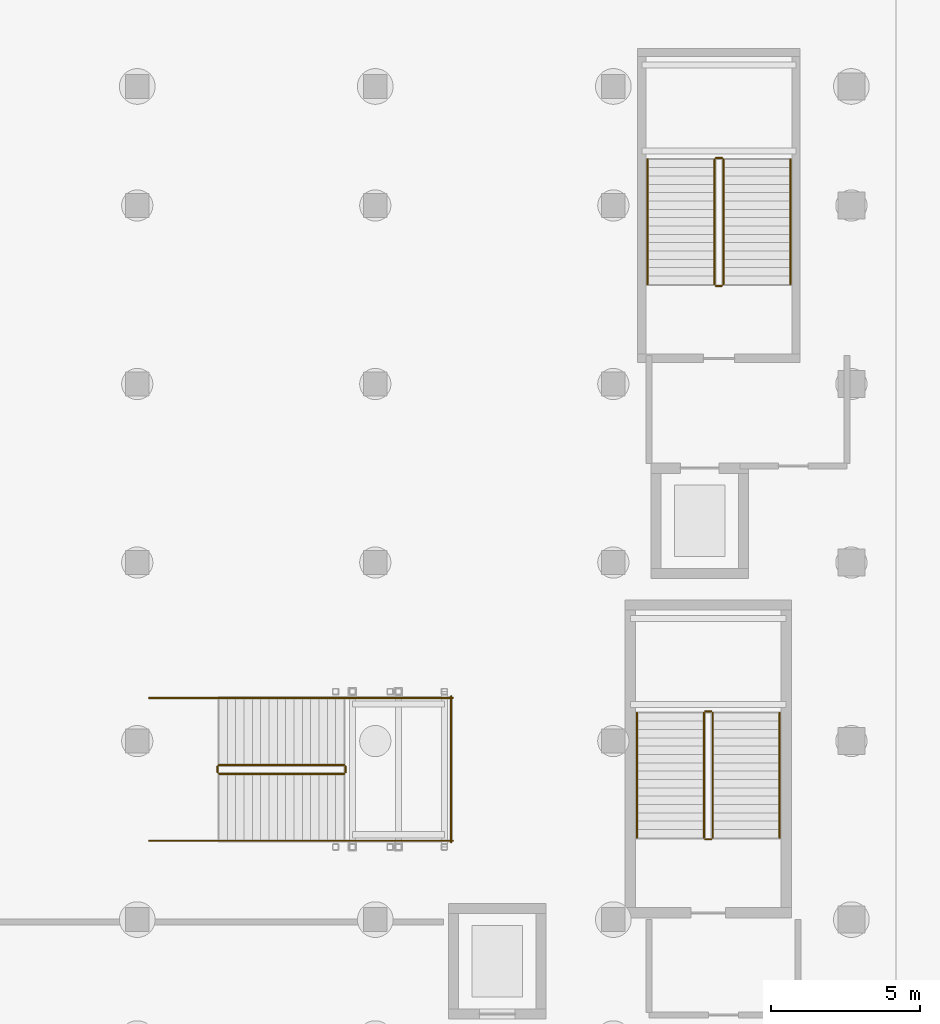
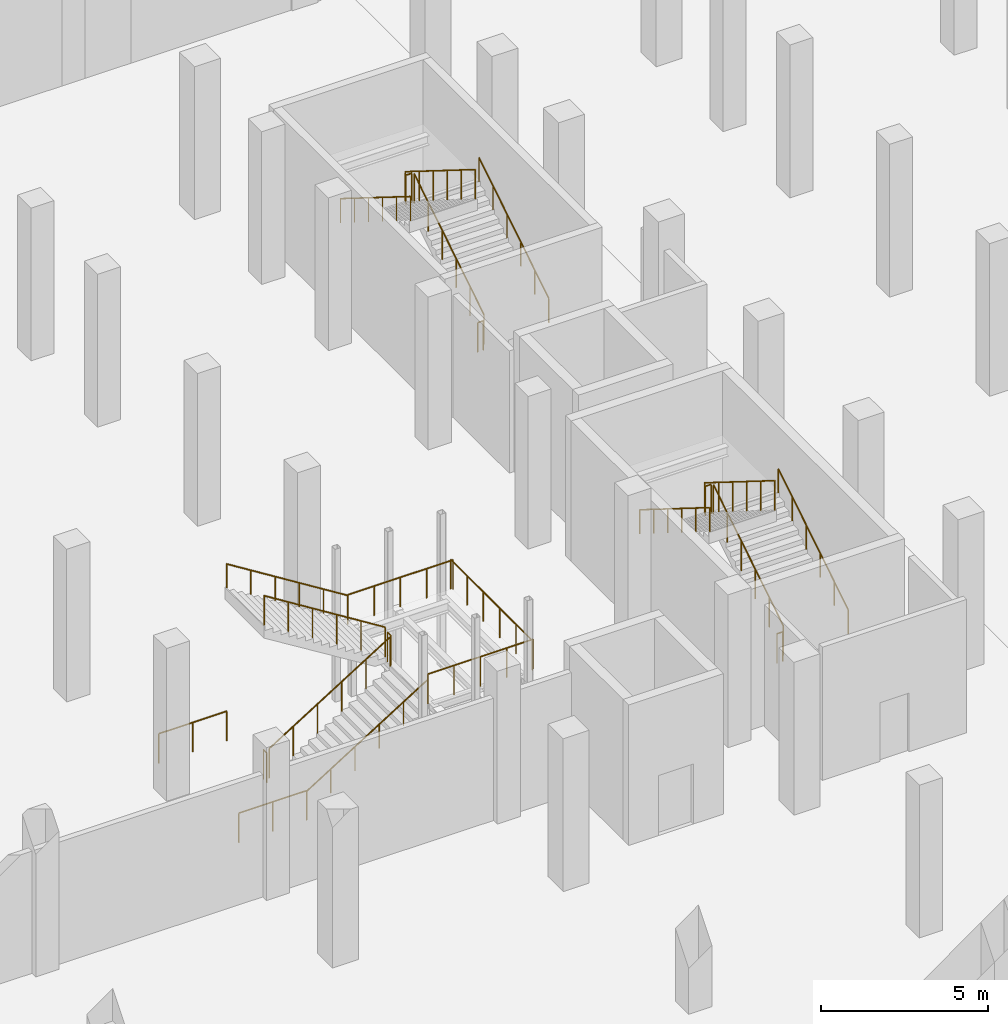
# One storey, part 23 of 26: 23 railings.
"""IFC4 building model written with IfcOpenShell, lengths in metres."""

from ifc_helpers import new_model, si_unit, direction, frame, origin, origin_2d, place, context, subcontext, project, spatial, circle, extrude, material, type_object, element, save


model = new_model("IFC4")

# Units and contexts
model_context = context("Model", 3, precision=1e-05, world=origin(), true_north=direction((0.0, 1.0)))
body_context = subcontext(model_context, "Body", "Model", "MODEL_VIEW")
ifc_project = project(units=[si_unit("LENGTHUNIT", "METRE"), si_unit("AREAUNIT", "SQUARE_METRE"), si_unit("VOLUMEUNIT", "CUBIC_METRE"), si_unit("PLANEANGLEUNIT", "RADIAN"), si_unit("MASSUNIT", "GRAM", prefix="KILO")], contexts=[model_context])

# Site, building, storey
site_placement = place(None, origin())
site = spatial("IfcSite", under=ifc_project, at=site_placement, CompositionType="ELEMENT")
building_placement = place(site_placement, origin())
building = spatial("IfcBuilding", under=site, at=building_placement, Name="Verrall Gate Interchange", CompositionType="ELEMENT")
storey_placement = place(building_placement, frame((0.0, 0.0, -10.39990234375)))
storey = spatial("IfcBuildingStorey", under=building, at=storey_placement, Name="B2", CompositionType="ELEMENT", Elevation=-10.39990234375)

# Railings
ifc_material_1 = material(Name="Brushed Stainless-Steel Guardrail and Handrail System", Category="steel")
railing_type_1 = type_object("IfcRailingType", Name="GR-02 Interior Atrium and Stair Guardrail 1100", PredefinedType="GUARDRAIL", material=ifc_material_1)
railing_1_placement = place(storey_placement, frame((103.340087890625, 18.75, 0.1748046875)))
element("IfcRailing", 1, at=railing_1_placement, inside=storey, type_object=railing_type_1, Name="B2 ST-06 stair guard 1", PredefinedType="GUARDRAIL", context=body_context, shape_type="SweptSolid", body=[
    extrude(circle(Radius=0.02392578125, at=origin_2d()), frame((0.0, 0.0, 1.076171875), z_axis=(0.0, 0.847995534698, 0.530003370869), x_axis=(-1.0, 0.0, 0.0)), (0.0, 0.0, 1.0), 4.952880859375),
    extrude(circle(Radius=0.02099609375, at=origin_2d()), origin(), (0.0, 0.0, 1.0), 1.052001953125),
    extrude(circle(Radius=0.02099609375, at=origin_2d()), frame((0.0, 0.840087890625, 0.52490234375)), (0.0, 0.0, 1.0), 1.052001953125),
    extrude(circle(Radius=0.02099609375, at=origin_2d()), frame((0.0, 1.679931640625, 1.050048828125)), (0.0, 0.0, 1.0), 1.052001953125),
    extrude(circle(Radius=0.02099609375, at=origin_2d()), frame((0.0, 2.52001953125, 1.574951171875)), (0.0, 0.0, 1.0), 1.052001953125),
    extrude(circle(Radius=0.02099609375, at=origin_2d()), frame((0.0, 3.35986328125, 2.10009765625)), (0.0, 0.0, 1.0), 1.052001953125),
    extrude(circle(Radius=0.02099609375, at=origin_2d()), frame((0.0, 4.199951171875, 2.625)), (0.0, 0.0, 1.0), 1.052001953125),
])
railing_2_placement = place(storey_placement, frame((103.2900390625, 23.0, 2.7998046875)))
element("IfcRailing", 2, at=railing_2_placement, inside=storey, type_object=railing_type_1, Name="B2 ST-06 stair guard 2", PredefinedType="GUARDRAIL", context=body_context, shape_type="SweptSolid", body=[
    extrude(circle(Radius=0.02392578125, at=origin_2d()), frame((0.0, 0.0, 1.076171875), z_axis=(-1.0, 0.0, 0.0), x_axis=(0.0, -1.0, 0.0)), (0.0, 0.0, 1.0), 0.199951171875),
    extrude(circle(Radius=0.02099609375, at=origin_2d()), origin(), (0.0, 0.0, 1.0), 1.052001953125),
    extrude(circle(Radius=0.02099609375, at=origin_2d()), frame((-0.199951171875, 0.0, 0.0)), (0.0, 0.0, 1.0), 1.052001953125),
])
railing_3_placement = place(storey_placement, frame((103.0400390625, 22.949951171875, 2.974853515625)))
element("IfcRailing", 3, at=railing_3_placement, inside=storey, type_object=railing_type_1, Name="B2 ST-06 stair guard 3", PredefinedType="GUARDRAIL", context=body_context, shape_type="SweptSolid", body=[
    extrude(circle(Radius=0.02392578125, at=origin_2d()), frame((0.0, 0.0, 1.076171875), z_axis=(0.0, -0.847995534698, 0.530003370869), x_axis=(1.0, 0.0, 0.0)), (0.0, 0.0, 1.0), 4.952880859375),
    extrude(circle(Radius=0.02099609375, at=origin_2d()), origin(), (0.0, 0.0, 1.0), 1.052001953125),
    extrude(circle(Radius=0.02099609375, at=origin_2d()), frame((0.0, -0.840087890625, 0.52490234375)), (0.0, 0.0, 1.0), 1.052001953125),
    extrude(circle(Radius=0.02099609375, at=origin_2d()), frame((0.0, -1.679931640625, 1.050048828125)), (0.0, 0.0, 1.0), 1.052001953125),
    extrude(circle(Radius=0.02099609375, at=origin_2d()), frame((0.0, -2.52001953125, 1.574951171875)), (0.0, 0.0, 1.0), 1.052001953125),
    extrude(circle(Radius=0.02099609375, at=origin_2d()), frame((0.0, -3.35986328125, 2.10009765625)), (0.0, 0.0, 1.0), 1.052001953125),
    extrude(circle(Radius=0.02099609375, at=origin_2d()), frame((0.0, -4.199951171875, 2.625)), (0.0, 0.0, 1.0), 1.052001953125),
])
railing_4_placement = place(storey_placement, frame((103.2900390625, 18.699951171875, 0.0)))
element("IfcRailing", 4, at=railing_4_placement, inside=storey, type_object=railing_type_1, Name="B2 ST-06 stair guard 4", PredefinedType="GUARDRAIL", context=body_context, shape_type="SweptSolid", body=[
    extrude(circle(Radius=0.02392578125, at=origin_2d()), frame((0.0, 0.0, 1.076171875), z_axis=(-1.0, 0.0, 0.0), x_axis=(0.0, -1.0, 0.0)), (0.0, 0.0, 1.0), 0.199951171875),
    extrude(circle(Radius=0.02099609375, at=origin_2d()), origin(), (0.0, 0.0, 1.0), 1.052001953125),
    extrude(circle(Radius=0.02099609375, at=origin_2d()), frame((-0.199951171875, 0.0, 0.0)), (0.0, 0.0, 1.0), 1.052001953125),
])
railing_5_placement = place(storey_placement, frame((103.699951171875, 37.35009765625, 0.1748046875)))
element("IfcRailing", 5, at=railing_5_placement, inside=storey, type_object=railing_type_1, Name="B2 ST-07 stair guard 1", PredefinedType="GUARDRAIL", context=body_context, shape_type="SweptSolid", body=[
    extrude(circle(Radius=0.02392578125, at=origin_2d()), frame((0.0, 0.0, 1.076171875), z_axis=(0.0, 0.847995534698, 0.530003370869), x_axis=(-1.0, 0.0, 0.0)), (0.0, 0.0, 1.0), 4.952880859375),
    extrude(circle(Radius=0.02099609375, at=origin_2d()), origin(), (0.0, 0.0, 1.0), 1.052001953125),
    extrude(circle(Radius=0.02099609375, at=origin_2d()), frame((0.0, 0.840087890625, 0.52490234375)), (0.0, 0.0, 1.0), 1.052001953125),
    extrude(circle(Radius=0.02099609375, at=origin_2d()), frame((0.0, 1.679931640625, 1.050048828125)), (0.0, 0.0, 1.0), 1.052001953125),
    extrude(circle(Radius=0.02099609375, at=origin_2d()), frame((0.0, 2.52001953125, 1.574951171875)), (0.0, 0.0, 1.0), 1.052001953125),
    extrude(circle(Radius=0.02099609375, at=origin_2d()), frame((0.0, 3.35986328125, 2.10009765625)), (0.0, 0.0, 1.0), 1.052001953125),
    extrude(circle(Radius=0.02099609375, at=origin_2d()), frame((0.0, 4.199951171875, 2.625)), (0.0, 0.0, 1.0), 1.052001953125),
])
railing_6_placement = place(storey_placement, frame((103.64990234375, 41.60009765625, 2.7998046875)))
element("IfcRailing", 6, at=railing_6_placement, inside=storey, type_object=railing_type_1, Name="B2 ST-07 stair guard 2", PredefinedType="GUARDRAIL", context=body_context, shape_type="SweptSolid", body=[
    extrude(circle(Radius=0.02392578125, at=origin_2d()), frame((0.0, 0.0, 1.076171875), z_axis=(-1.0, 0.0, 0.0), x_axis=(0.0, -1.0, 0.0)), (0.0, 0.0, 1.0), 0.199951171875),
    extrude(circle(Radius=0.02099609375, at=origin_2d()), origin(), (0.0, 0.0, 1.0), 1.052001953125),
    extrude(circle(Radius=0.02099609375, at=origin_2d()), frame((-0.199951171875, 0.0, 0.0)), (0.0, 0.0, 1.0), 1.052001953125),
])
railing_7_placement = place(storey_placement, frame((103.39990234375, 41.550048828125, 2.974853515625)))
element("IfcRailing", 7, at=railing_7_placement, inside=storey, type_object=railing_type_1, Name="B2 ST-07 stair guard 3", PredefinedType="GUARDRAIL", context=body_context, shape_type="SweptSolid", body=[
    extrude(circle(Radius=0.02392578125, at=origin_2d()), frame((0.0, 0.0, 1.076171875), z_axis=(0.0, -0.847995534698, 0.530003370869), x_axis=(1.0, 0.0, 0.0)), (0.0, 0.0, 1.0), 4.952880859375),
    extrude(circle(Radius=0.02099609375, at=origin_2d()), origin(), (0.0, 0.0, 1.0), 1.052001953125),
    extrude(circle(Radius=0.02099609375, at=origin_2d()), frame((0.0, -0.840087890625, 0.52490234375)), (0.0, 0.0, 1.0), 1.052001953125),
    extrude(circle(Radius=0.02099609375, at=origin_2d()), frame((0.0, -1.679931640625, 1.050048828125)), (0.0, 0.0, 1.0), 1.052001953125),
    extrude(circle(Radius=0.02099609375, at=origin_2d()), frame((0.0, -2.52001953125, 1.574951171875)), (0.0, 0.0, 1.0), 1.052001953125),
    extrude(circle(Radius=0.02099609375, at=origin_2d()), frame((0.0, -3.35986328125, 2.10009765625)), (0.0, 0.0, 1.0), 1.052001953125),
    extrude(circle(Radius=0.02099609375, at=origin_2d()), frame((0.0, -4.199951171875, 2.625)), (0.0, 0.0, 1.0), 1.052001953125),
])
railing_8_placement = place(storey_placement, frame((103.64990234375, 37.300048828125, 0.0)))
element("IfcRailing", 8, at=railing_8_placement, inside=storey, type_object=railing_type_1, Name="B2 ST-07 stair guard 4", PredefinedType="GUARDRAIL", context=body_context, shape_type="SweptSolid", body=[
    extrude(circle(Radius=0.02392578125, at=origin_2d()), frame((0.0, 0.0, 1.076171875), z_axis=(-1.0, 0.0, 0.0), x_axis=(0.0, -1.0, 0.0)), (0.0, 0.0, 1.0), 0.199951171875),
    extrude(circle(Radius=0.02099609375, at=origin_2d()), origin(), (0.0, 0.0, 1.0), 1.052001953125),
    extrude(circle(Radius=0.02099609375, at=origin_2d()), frame((-0.199951171875, 0.0, 0.0)), (0.0, 0.0, 1.0), 1.052001953125),
])
railing_9_placement = place(storey_placement, frame((86.75, 20.89990234375, 0.1748046875)))
element("IfcRailing", 9, at=railing_9_placement, inside=storey, type_object=railing_type_1, Name="B2 ST-11 stair guard 1", PredefinedType="GUARDRAIL", context=body_context, shape_type="SweptSolid", body=[
    extrude(circle(Radius=0.02392578125, at=origin_2d()), frame((0.0, 0.0, 1.076171875), z_axis=(0.847995534698, 0.0, 0.530003370869), x_axis=(0.0, 1.0, 0.0)), (0.0, 0.0, 1.0), 4.952880859375),
    extrude(circle(Radius=0.02099609375, at=origin_2d()), origin(), (0.0, 0.0, 1.0), 1.052001953125),
    extrude(circle(Radius=0.02099609375, at=origin_2d()), frame((0.840087890625, 0.0, 0.52490234375)), (0.0, 0.0, 1.0), 1.052001953125),
    extrude(circle(Radius=0.02099609375, at=origin_2d()), frame((1.679931640625, 0.0, 1.050048828125)), (0.0, 0.0, 1.0), 1.052001953125),
    extrude(circle(Radius=0.02099609375, at=origin_2d()), frame((2.52001953125, 0.0, 1.574951171875)), (0.0, 0.0, 1.0), 1.052001953125),
    extrude(circle(Radius=0.02099609375, at=origin_2d()), frame((3.35986328125, 0.0, 2.10009765625)), (0.0, 0.0, 1.0), 1.052001953125),
    extrude(circle(Radius=0.02099609375, at=origin_2d()), frame((4.199951171875, 0.0, 2.625)), (0.0, 0.0, 1.0), 1.052001953125),
])
railing_10_placement = place(storey_placement, frame((91.0, 20.949951171875, 2.7998046875)))
element("IfcRailing", 10, at=railing_10_placement, inside=storey, type_object=railing_type_1, Name="B2 ST-11 stair guard 2", PredefinedType="GUARDRAIL", context=body_context, shape_type="SweptSolid", body=[
    extrude(circle(Radius=0.02392578125, at=origin_2d()), frame((0.0, 0.0, 1.076171875), z_axis=(0.0, 1.0, 0.0), x_axis=(-1.0, 0.0, 0.0)), (0.0, 0.0, 1.0), 0.199951171875),
    extrude(circle(Radius=0.02099609375, at=origin_2d()), origin(), (0.0, 0.0, 1.0), 1.052001953125),
    extrude(circle(Radius=0.02099609375, at=origin_2d()), frame((0.0, 0.199951171875, 0.0)), (0.0, 0.0, 1.0), 1.052001953125),
])
for number, where, name in (
    (11, (90.949951171875, 18.64990234375, 2.7998046875), "B2 ST-11 stair guard 3"),
    (12, (90.949951171875, 23.449951171875, 2.7998046875), "B2 ST-11 stair guard 4"),
):
    element("IfcRailing", number, at=place(storey_placement, frame(where)), inside=storey, type_object=railing_type_1, Name=name, PredefinedType="GUARDRAIL", context=body_context, shape_type="SweptSolid", body=[
        extrude(circle(Radius=0.02392578125, at=origin_2d()), frame((0.0, 0.0, 1.076171875), z_axis=(1.0, 0.0, 0.0), x_axis=(0.0, 1.0, 0.0)), (0.0, 0.0, 1.0), 3.650146484375),
        extrude(circle(Radius=0.02099609375, at=origin_2d()), origin(), (0.0, 0.0, 1.0), 1.052001953125),
        extrude(circle(Radius=0.02099609375, at=origin_2d()), frame((0.91259765625, 0.0, 0.0)), (0.0, 0.0, 1.0), 1.052001953125),
        extrude(circle(Radius=0.02099609375, at=origin_2d()), frame((1.8251953125, 0.0, 0.0)), (0.0, 0.0, 1.0), 1.052001953125),
        extrude(circle(Radius=0.02099609375, at=origin_2d()), frame((2.737548828125, 0.0, 0.0)), (0.0, 0.0, 1.0), 1.052001953125),
        extrude(circle(Radius=0.02099609375, at=origin_2d()), frame((3.650146484375, 0.0, 0.0)), (0.0, 0.0, 1.0), 1.052001953125),
    ])
railing_11_placement = place(storey_placement, frame((94.550048828125, 18.60009765625, 2.7998046875)))
element("IfcRailing", 13, at=railing_11_placement, inside=storey, type_object=railing_type_1, Name="B2 ST-11 stair guard 5", PredefinedType="GUARDRAIL", context=body_context, shape_type="SweptSolid", body=[
    extrude(circle(Radius=0.02392578125, at=origin_2d()), frame((0.0, 0.0, 1.076171875), z_axis=(0.0, 1.0, 0.0), x_axis=(-1.0, 0.0, 0.0)), (0.0, 0.0, 1.0), 4.89990234375),
    extrude(circle(Radius=0.02099609375, at=origin_2d()), origin(), (0.0, 0.0, 1.0), 1.052001953125),
    extrude(circle(Radius=0.02099609375, at=origin_2d()), frame((0.0, 0.97998046875, 0.0)), (0.0, 0.0, 1.0), 1.052001953125),
    extrude(circle(Radius=0.02099609375, at=origin_2d()), frame((0.0, 1.9599609375, 0.0)), (0.0, 0.0, 1.0), 1.052001953125),
    extrude(circle(Radius=0.02099609375, at=origin_2d()), frame((0.0, 2.93994140625, 0.0)), (0.0, 0.0, 1.0), 1.052001953125),
    extrude(circle(Radius=0.02099609375, at=origin_2d()), frame((0.0, 3.919921875, 0.0)), (0.0, 0.0, 1.0), 1.052001953125),
    extrude(circle(Radius=0.02099609375, at=origin_2d()), frame((0.0, 4.89990234375, 0.0)), (0.0, 0.0, 1.0), 1.052001953125),
])
railing_12_placement = place(storey_placement, frame((90.949951171875, 21.199951171875, 2.974853515625)))
element("IfcRailing", 14, at=railing_12_placement, inside=storey, type_object=railing_type_1, Name="B2 ST-11 stair guard 6", PredefinedType="GUARDRAIL", context=body_context, shape_type="SweptSolid", body=[
    extrude(circle(Radius=0.02392578125, at=origin_2d()), frame((0.0, 0.0, 1.076171875), z_axis=(-0.847995534698, 0.0, 0.530003370869), x_axis=(0.0, -1.0, 0.0)), (0.0, 0.0, 1.0), 4.952880859375),
    extrude(circle(Radius=0.02099609375, at=origin_2d()), origin(), (0.0, 0.0, 1.0), 1.052001953125),
    extrude(circle(Radius=0.02099609375, at=origin_2d()), frame((-0.840087890625, 0.0, 0.52490234375)), (0.0, 0.0, 1.0), 1.052001953125),
    extrude(circle(Radius=0.02099609375, at=origin_2d()), frame((-1.679931640625, 0.0, 1.050048828125)), (0.0, 0.0, 1.0), 1.052001953125),
    extrude(circle(Radius=0.02099609375, at=origin_2d()), frame((-2.52001953125, 0.0, 1.574951171875)), (0.0, 0.0, 1.0), 1.052001953125),
    extrude(circle(Radius=0.02099609375, at=origin_2d()), frame((-3.35986328125, 0.0, 2.10009765625)), (0.0, 0.0, 1.0), 1.052001953125),
    extrude(circle(Radius=0.02099609375, at=origin_2d()), frame((-4.199951171875, 0.0, 2.625)), (0.0, 0.0, 1.0), 1.052001953125),
])
railing_13_placement = place(storey_placement, frame((86.699951171875, 20.949951171875, 0.0)))
element("IfcRailing", 15, at=railing_13_placement, inside=storey, type_object=railing_type_1, Name="B2 ST-11 stair guard 7", PredefinedType="GUARDRAIL", context=body_context, shape_type="SweptSolid", body=[
    extrude(circle(Radius=0.02392578125, at=origin_2d()), frame((0.0, 0.0, 1.076171875), z_axis=(0.0, 1.0, 0.0), x_axis=(-1.0, 0.0, 0.0)), (0.0, 0.0, 1.0), 0.199951171875),
    extrude(circle(Radius=0.02099609375, at=origin_2d()), origin(), (0.0, 0.0, 1.0), 1.052001953125),
    extrude(circle(Radius=0.02099609375, at=origin_2d()), frame((0.0, 0.199951171875, 0.0)), (0.0, 0.0, 1.0), 1.052001953125),
])
for number, where, name in (
    (16, (84.39990234375, 18.64990234375, 0.0), "B2 ST-11 stair guard 8"),
    (17, (84.39990234375, 23.449951171875, 0.0), "B2 ST-11 stair guard 9"),
):
    element("IfcRailing", number, at=place(storey_placement, frame(where)), inside=storey, type_object=railing_type_1, Name=name, PredefinedType="GUARDRAIL", context=body_context, shape_type="SweptSolid", body=[
        extrude(circle(Radius=0.02392578125, at=origin_2d()), frame((0.0, 0.0, 1.076171875), z_axis=(1.0, 0.0, 0.0), x_axis=(0.0, 1.0, 0.0)), (0.0, 0.0, 1.0), 2.35009765625),
        extrude(circle(Radius=0.02099609375, at=origin_2d()), origin(), (0.0, 0.0, 1.0), 1.052001953125),
        extrude(circle(Radius=0.02099609375, at=origin_2d()), frame((1.175048828125, 0.0, 0.0)), (0.0, 0.0, 1.0), 1.052001953125),
        extrude(circle(Radius=0.02099609375, at=origin_2d()), frame((2.35009765625, 0.0, 0.0)), (0.0, 0.0, 1.0), 1.052001953125),
    ])
ifc_material_2 = material(Name="Brushed Stainless-Steel Guardrail and Handrail System", Category="steel")
railing_type_2 = type_object("IfcRailingType", Name="HR-01 Stair and Ramp Pitch-Line Handrail 920", PredefinedType="HANDRAIL", material=ifc_material_2)
railing_14_placement = place(storey_placement, frame((105.590087890625, 18.75, 0.1748046875)))
element("IfcRailing", 18, at=railing_14_placement, inside=storey, type_object=railing_type_2, Name="B2 ST-06 stair handrail 1", PredefinedType="HANDRAIL", context=body_context, shape_type="SweptSolid", body=[
    extrude(circle(Radius=0.02392578125, at=origin_2d()), frame((0.0, 0.0, 0.8759765625), z_axis=(0.0, 0.847995534698, 0.530003370869), x_axis=(-1.0, 0.0, 0.0)), (0.0, 0.0, 1.0), 4.952880859375),
    extrude(circle(Radius=0.02099609375, at=origin_2d()), origin(), (0.0, 0.0, 1.0), 0.851806640625),
    extrude(circle(Radius=0.02099609375, at=origin_2d()), frame((0.0, 0.840087890625, 0.52490234375)), (0.0, 0.0, 1.0), 0.851806640625),
    extrude(circle(Radius=0.02099609375, at=origin_2d()), frame((0.0, 1.679931640625, 1.050048828125)), (0.0, 0.0, 1.0), 0.851806640625),
    extrude(circle(Radius=0.02099609375, at=origin_2d()), frame((0.0, 2.52001953125, 1.574951171875)), (0.0, 0.0, 1.0), 0.851806640625),
    extrude(circle(Radius=0.02099609375, at=origin_2d()), frame((0.0, 3.35986328125, 2.10009765625)), (0.0, 0.0, 1.0), 0.851806640625),
    extrude(circle(Radius=0.02099609375, at=origin_2d()), frame((0.0, 4.199951171875, 2.625)), (0.0, 0.0, 1.0), 0.851806640625),
])
railing_15_placement = place(storey_placement, frame((100.7900390625, 22.949951171875, 2.974853515625)))
element("IfcRailing", 19, at=railing_15_placement, inside=storey, type_object=railing_type_2, Name="B2 ST-06 stair handrail 2", PredefinedType="HANDRAIL", context=body_context, shape_type="SweptSolid", body=[
    extrude(circle(Radius=0.02392578125, at=origin_2d()), frame((0.0, 0.0, 0.8759765625), z_axis=(0.0, -0.847995534698, 0.530003370869), x_axis=(1.0, 0.0, 0.0)), (0.0, 0.0, 1.0), 4.952880859375),
    extrude(circle(Radius=0.02099609375, at=origin_2d()), origin(), (0.0, 0.0, 1.0), 0.851806640625),
    extrude(circle(Radius=0.02099609375, at=origin_2d()), frame((0.0, -0.840087890625, 0.52490234375)), (0.0, 0.0, 1.0), 0.851806640625),
    extrude(circle(Radius=0.02099609375, at=origin_2d()), frame((0.0, -1.679931640625, 1.050048828125)), (0.0, 0.0, 1.0), 0.851806640625),
    extrude(circle(Radius=0.02099609375, at=origin_2d()), frame((0.0, -2.52001953125, 1.574951171875)), (0.0, 0.0, 1.0), 0.851806640625),
    extrude(circle(Radius=0.02099609375, at=origin_2d()), frame((0.0, -3.35986328125, 2.10009765625)), (0.0, 0.0, 1.0), 0.851806640625),
    extrude(circle(Radius=0.02099609375, at=origin_2d()), frame((0.0, -4.199951171875, 2.625)), (0.0, 0.0, 1.0), 0.851806640625),
])
railing_16_placement = place(storey_placement, frame((105.949951171875, 37.35009765625, 0.1748046875)))
element("IfcRailing", 20, at=railing_16_placement, inside=storey, type_object=railing_type_2, Name="B2 ST-07 stair handrail 1", PredefinedType="HANDRAIL", context=body_context, shape_type="SweptSolid", body=[
    extrude(circle(Radius=0.02392578125, at=origin_2d()), frame((0.0, 0.0, 0.8759765625), z_axis=(0.0, 0.847995534698, 0.530003370869), x_axis=(-1.0, 0.0, 0.0)), (0.0, 0.0, 1.0), 4.952880859375),
    extrude(circle(Radius=0.02099609375, at=origin_2d()), origin(), (0.0, 0.0, 1.0), 0.851806640625),
    extrude(circle(Radius=0.02099609375, at=origin_2d()), frame((0.0, 0.840087890625, 0.52490234375)), (0.0, 0.0, 1.0), 0.851806640625),
    extrude(circle(Radius=0.02099609375, at=origin_2d()), frame((0.0, 1.679931640625, 1.050048828125)), (0.0, 0.0, 1.0), 0.851806640625),
    extrude(circle(Radius=0.02099609375, at=origin_2d()), frame((0.0, 2.52001953125, 1.574951171875)), (0.0, 0.0, 1.0), 0.851806640625),
    extrude(circle(Radius=0.02099609375, at=origin_2d()), frame((0.0, 3.35986328125, 2.10009765625)), (0.0, 0.0, 1.0), 0.851806640625),
    extrude(circle(Radius=0.02099609375, at=origin_2d()), frame((0.0, 4.199951171875, 2.625)), (0.0, 0.0, 1.0), 0.851806640625),
])
railing_17_placement = place(storey_placement, frame((101.14990234375, 41.550048828125, 2.974853515625)))
element("IfcRailing", 21, at=railing_17_placement, inside=storey, type_object=railing_type_2, Name="B2 ST-07 stair handrail 2", PredefinedType="HANDRAIL", context=body_context, shape_type="SweptSolid", body=[
    extrude(circle(Radius=0.02392578125, at=origin_2d()), frame((0.0, 0.0, 0.8759765625), z_axis=(0.0, -0.847995534698, 0.530003370869), x_axis=(1.0, 0.0, 0.0)), (0.0, 0.0, 1.0), 4.952880859375),
    extrude(circle(Radius=0.02099609375, at=origin_2d()), origin(), (0.0, 0.0, 1.0), 0.851806640625),
    extrude(circle(Radius=0.02099609375, at=origin_2d()), frame((0.0, -0.840087890625, 0.52490234375)), (0.0, 0.0, 1.0), 0.851806640625),
    extrude(circle(Radius=0.02099609375, at=origin_2d()), frame((0.0, -1.679931640625, 1.050048828125)), (0.0, 0.0, 1.0), 0.851806640625),
    extrude(circle(Radius=0.02099609375, at=origin_2d()), frame((0.0, -2.52001953125, 1.574951171875)), (0.0, 0.0, 1.0), 0.851806640625),
    extrude(circle(Radius=0.02099609375, at=origin_2d()), frame((0.0, -3.35986328125, 2.10009765625)), (0.0, 0.0, 1.0), 0.851806640625),
    extrude(circle(Radius=0.02099609375, at=origin_2d()), frame((0.0, -4.199951171875, 2.625)), (0.0, 0.0, 1.0), 0.851806640625),
])
railing_18_placement = place(storey_placement, frame((86.75, 18.64990234375, 0.1748046875)))
element("IfcRailing", 22, at=railing_18_placement, inside=storey, type_object=railing_type_2, Name="B2 ST-11 stair handrail 1", PredefinedType="HANDRAIL", context=body_context, shape_type="SweptSolid", body=[
    extrude(circle(Radius=0.02392578125, at=origin_2d()), frame((0.0, 0.0, 0.8759765625), z_axis=(0.847995534698, 0.0, 0.530003370869), x_axis=(0.0, 1.0, 0.0)), (0.0, 0.0, 1.0), 4.952880859375),
    extrude(circle(Radius=0.02099609375, at=origin_2d()), origin(), (0.0, 0.0, 1.0), 0.851806640625),
    extrude(circle(Radius=0.02099609375, at=origin_2d()), frame((0.840087890625, 0.0, 0.52490234375)), (0.0, 0.0, 1.0), 0.851806640625),
    extrude(circle(Radius=0.02099609375, at=origin_2d()), frame((1.679931640625, 0.0, 1.050048828125)), (0.0, 0.0, 1.0), 0.851806640625),
    extrude(circle(Radius=0.02099609375, at=origin_2d()), frame((2.52001953125, 0.0, 1.574951171875)), (0.0, 0.0, 1.0), 0.851806640625),
    extrude(circle(Radius=0.02099609375, at=origin_2d()), frame((3.35986328125, 0.0, 2.10009765625)), (0.0, 0.0, 1.0), 0.851806640625),
    extrude(circle(Radius=0.02099609375, at=origin_2d()), frame((4.199951171875, 0.0, 2.625)), (0.0, 0.0, 1.0), 0.851806640625),
])
railing_19_placement = place(storey_placement, frame((90.949951171875, 23.449951171875, 2.974853515625)))
element("IfcRailing", 23, at=railing_19_placement, inside=storey, type_object=railing_type_2, Name="B2 ST-11 stair handrail 2", PredefinedType="HANDRAIL", context=body_context, shape_type="SweptSolid", body=[
    extrude(circle(Radius=0.02392578125, at=origin_2d()), frame((0.0, 0.0, 0.8759765625), z_axis=(-0.847995534698, 0.0, 0.530003370869), x_axis=(0.0, -1.0, 0.0)), (0.0, 0.0, 1.0), 4.952880859375),
    extrude(circle(Radius=0.02099609375, at=origin_2d()), origin(), (0.0, 0.0, 1.0), 0.851806640625),
    extrude(circle(Radius=0.02099609375, at=origin_2d()), frame((-0.840087890625, 0.0, 0.52490234375)), (0.0, 0.0, 1.0), 0.851806640625),
    extrude(circle(Radius=0.02099609375, at=origin_2d()), frame((-1.679931640625, 0.0, 1.050048828125)), (0.0, 0.0, 1.0), 0.851806640625),
    extrude(circle(Radius=0.02099609375, at=origin_2d()), frame((-2.52001953125, 0.0, 1.574951171875)), (0.0, 0.0, 1.0), 0.851806640625),
    extrude(circle(Radius=0.02099609375, at=origin_2d()), frame((-3.35986328125, 0.0, 2.10009765625)), (0.0, 0.0, 1.0), 0.851806640625),
    extrude(circle(Radius=0.02099609375, at=origin_2d()), frame((-4.199951171875, 0.0, 2.625)), (0.0, 0.0, 1.0), 0.851806640625),
])

save(model, "model.ifc")
